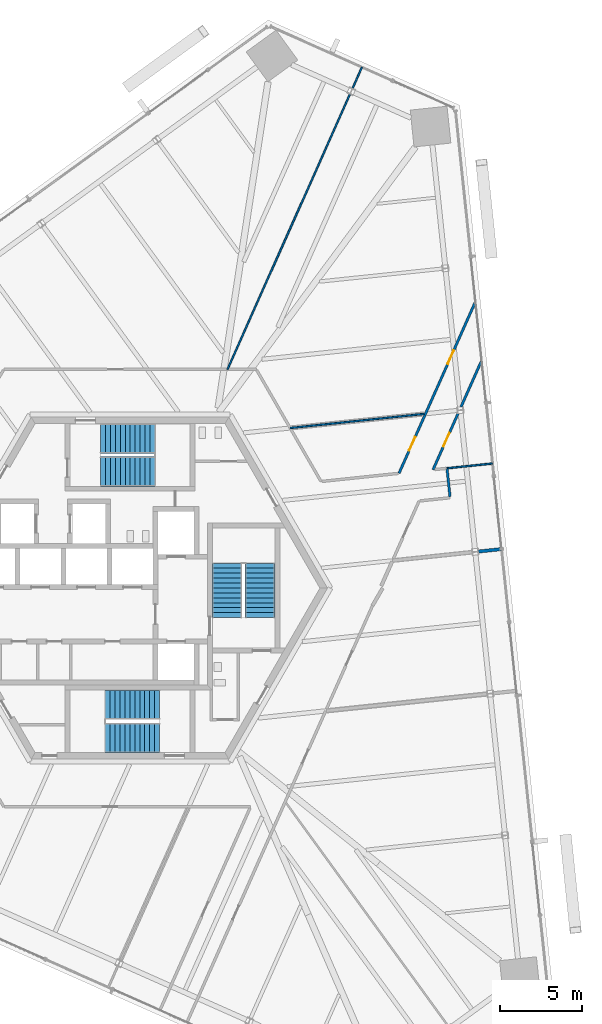
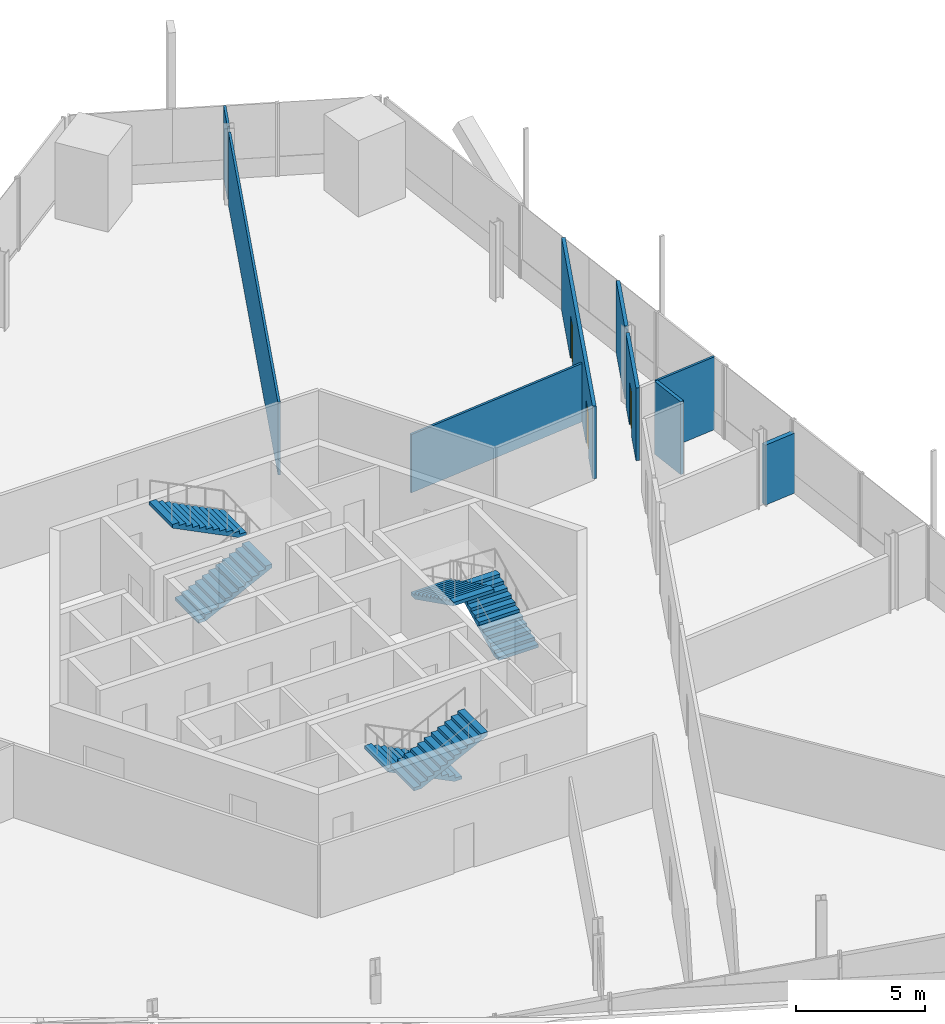
# One storey, part 14 of 21: 9 walls, 6 stair flights, 3 doors, 3 openings, 3 elements without a shape of their own.
"""IFC4 building model written with IfcOpenShell, lengths in metres."""

from ifc_helpers import new_model, si_unit, direction, frame, frame_2d, origin, place, context, subcontext, project, spatial, polyline, rectangle, outline, extrude, source, transform, mapped, material, layer, layer_set, type_object, element, fill, aggregate, save


model = new_model("IFC4")

# Units and contexts
model_context = context("Model", 3, precision=1e-05, world=origin(), true_north=direction((0.0, 1.0)))
body_context = subcontext(model_context, "Body", "Model", "MODEL_VIEW")
ifc_project = project(units=[si_unit("LENGTHUNIT", "METRE"), si_unit("AREAUNIT", "SQUARE_METRE"), si_unit("VOLUMEUNIT", "CUBIC_METRE"), si_unit("PLANEANGLEUNIT", "RADIAN"), si_unit("MASSUNIT", "GRAM", prefix="KILO")], contexts=[model_context])

# Site, building, storey
site_placement = place(None, origin())
site = spatial("IfcSite", under=ifc_project, at=site_placement, CompositionType="ELEMENT")
building_placement = place(site_placement, origin())
building = spatial("IfcBuilding", under=site, at=building_placement, Name="Triune Harvest Tower", CompositionType="ELEMENT")
storey_placement = place(building_placement, frame((0.0, 0.0, 87.300048828125)))
storey = spatial("IfcBuildingStorey", under=building, at=storey_placement, Name="L21", CompositionType="ELEMENT", Elevation=87.300048828125)

# Wall
ifc_material_1 = material(Name="Gypsum board on steel studs", Category="steel")
ifc_layer_1 = layer(ifc_material_1, 0.14990234375)
ifc_layer_set_1 = layer_set([ifc_layer_1], Name="Gypsum board on steel studs")
wall_type_1 = type_object("IfcWallType", Name="Fire Partition 150 mm", PredefinedType="PARTITIONING", material=ifc_layer_set_1)
wall_1_placement = place(storey_placement, frame((19.2646484375, 7.254638671875, 0.0), z_axis=(0.0, 0.0, 1.0), x_axis=(0.104647626118, -0.99450936363, 0.0)))
element("IfcWall", 1, at=wall_1_placement, inside=storey, type_object=wall_type_1, Name="Partition L21 002", PredefinedType="PARTITIONING", context=body_context, shape_type="SweptSolid", body=[
    extrude(rectangle(XDim=1.7099609375, YDim=0.14990234375, at=frame_2d((0.85498046875, 0.0))), origin(), (0.0, 0.0, 1.0), 3.43994140625),
])

# Wall, opening, door
wall_2_placement = place(storey_placement, frame((18.41162109375, 7.1953125, 0.0), z_axis=(0.0, 0.0, 1.0), x_axis=(0.406767795553, 0.91353158703, 0.0)))
wall_2 = element("IfcWall", 2, at=wall_2_placement, inside=storey, type_object=wall_type_1, Name="Partition L21 046", PredefinedType="PARTITIONING", context=body_context, shape_type="SweptSolid", body=[
    extrude(rectangle(XDim=3.742919921875, YDim=0.14990234375, at=frame_2d((1.87158203125, 0.0))), origin(), (0.0, 0.0, 1.0), 3.43994140625),
])
opening_1_placement = place(wall_2_placement, frame((1.5498046875, 0.0, 0.0)))
opening_1 = element("IfcOpeningElement", 3, at=opening_1_placement, cuts=wall_2, Name="Opening L21-006", PredefinedType="OPENING", context=body_context, shape_type="SweptSolid", body=[
    extrude(rectangle(XDim=0.89990234375, YDim=2.10009765625, at=frame_2d((0.449951171875, 1.050048828125))), frame((0.0, 0.0849609375, 0.0), z_axis=(0.0, -1.0, 0.0), x_axis=(1.0, 0.0, 0.0)), (0.0, 0.0, 1.0), 0.169921875),
])
ifc_material_2 = material(Name="Timber and steel door set", Category="steel")
door_type_1 = type_object("IfcDoorType", Name="Single leaf door FD30 left hand 900 x 2100", OperationType="SINGLE_SWING_LEFT", PredefinedType="DOOR", material=ifc_material_2)
door_1_placement = place(opening_1_placement, origin())
door_1 = element("IfcDoor", 4, at=door_1_placement, inside=storey, type_object=door_type_1, Name="Door L21-006 Dry Store Room 21.06", OperationType="SINGLE_SWING_LEFT", OverallHeight=2.10009765625, OverallWidth=0.89990234375, PredefinedType="DOOR", context=body_context, shape_type="SweptSolid", body=[
    extrude(rectangle(XDim=0.89990234375, YDim=2.10009765625, at=frame_2d((0.449951171875, 1.050048828125))), frame((0.0, 0.02490234375, 0.0), z_axis=(0.0, -1.0, 0.0), x_axis=(1.0, 0.0, 0.0)), (0.0, 0.0, 1.0), 0.050048828125),
])
fill(opening_1, door_1)

# Wall
wall_3_placement = place(storey_placement, frame((20.112060546875, 11.01416015625, 0.0), z_axis=(0.0, 0.0, 1.0), x_axis=(0.406717595281, 0.91355393803, 0.0)))
element("IfcWall", 5, at=wall_3_placement, inside=storey, type_object=wall_type_1, Name="Partition L21 047", PredefinedType="PARTITIONING", context=body_context, shape_type="SweptSolid", body=[
    extrude(rectangle(XDim=3.089599609375, YDim=0.14990234375, at=frame_2d((1.544921875, 0.0))), origin(), (0.0, 0.0, 1.0), 3.43994140625),
])

# Wall, openings, doors
wall_4_placement = place(storey_placement, frame((16.344482421875, 6.977783203125, 0.0), z_axis=(0.0, 0.0, 1.0), x_axis=(0.406735071701, 0.913546157262, 0.0)))
wall_4 = element("IfcWall", 6, at=wall_4_placement, inside=storey, type_object=wall_type_1, Name="Partition L21 049", PredefinedType="PARTITIONING", context=body_context, shape_type="SweptSolid", body=[
    extrude(rectangle(XDim=11.4267578125, YDim=0.14990234375, at=frame_2d((5.71337890625, 0.0))), origin(), (0.0, 0.0, 1.0), 3.43994140625),
])
opening_2_placement = place(wall_4_placement, frame((1.51171875, 0.0, 0.0)))
opening_2 = element("IfcOpeningElement", 7, at=opening_2_placement, cuts=wall_4, Name="Opening L21-003", PredefinedType="OPENING", context=body_context, shape_type="SweptSolid", body=[
    extrude(rectangle(XDim=0.89990234375, YDim=2.10009765625, at=frame_2d((0.449951171875, 1.050048828125))), frame((0.0, 0.0849609375, 0.0), z_axis=(0.0, -1.0, 0.0), x_axis=(1.0, 0.0, 0.0)), (0.0, 0.0, 1.0), 0.169921875),
])
opening_3_placement = place(wall_4_placement, frame((7.27685546875, 0.0, 0.0)))
opening_3 = element("IfcOpeningElement", 8, at=opening_3_placement, cuts=wall_4, Name="Opening L21-005", PredefinedType="OPENING", context=body_context, shape_type="SweptSolid", body=[
    extrude(rectangle(XDim=0.89990234375, YDim=2.10009765625, at=frame_2d((0.449951171875, 1.050048828125))), frame((0.0, 0.0849609375, 0.0), z_axis=(0.0, -1.0, 0.0), x_axis=(1.0, 0.0, 0.0)), (0.0, 0.0, 1.0), 0.169921875),
])
door_2_placement = place(opening_2_placement, origin())
door_2 = element("IfcDoor", 9, at=door_2_placement, inside=storey, type_object=door_type_1, Name="Door L21-003 Meeting Room 21.03", OperationType="SINGLE_SWING_LEFT", OverallHeight=2.10009765625, OverallWidth=0.89990234375, PredefinedType="DOOR", context=body_context, shape_type="SweptSolid", body=[
    extrude(rectangle(XDim=0.89990234375, YDim=2.10009765625, at=frame_2d((0.449951171875, 1.050048828125))), frame((0.0, 0.02490234375, 0.0), z_axis=(0.0, -1.0, 0.0), x_axis=(1.0, 0.0, 0.0)), (0.0, 0.0, 1.0), 0.050048828125),
])
fill(opening_2, door_2)
ifc_material_3 = material(Name="Timber and steel door set", Category="steel")
door_type_2 = type_object("IfcDoorType", Name="Single leaf door FD30 right hand 900 x 2100", OperationType="SINGLE_SWING_RIGHT", PredefinedType="DOOR", material=ifc_material_3)
door_3_placement = place(opening_3_placement, origin())
door_3 = element("IfcDoor", 10, at=door_3_placement, inside=storey, type_object=door_type_2, Name="Door L21-005 Office 21.05", OperationType="SINGLE_SWING_RIGHT", OverallHeight=2.10009765625, OverallWidth=0.89990234375, PredefinedType="DOOR", context=body_context, shape_type="SweptSolid", body=[
    extrude(rectangle(XDim=0.89990234375, YDim=2.10009765625, at=frame_2d((0.449951171875, 1.050048828125))), frame((0.0, 0.02490234375, 0.0), z_axis=(0.0, -1.0, 0.0), x_axis=(1.0, 0.0, 0.0)), (0.0, 0.0, 1.0), 0.050048828125),
])
fill(opening_3, door_3)

# Walls
ifc_material_4 = material(Name="Gypsum board on steel studs", Category="steel")
ifc_layer_2 = layer(ifc_material_4, 0.199951171875)
ifc_layer_set_2 = layer_set([ifc_layer_2], Name="Gypsum board on steel studs")
wall_type_2 = type_object("IfcWallType", Name="Fire Wall 200 mm", PredefinedType="PARTITIONING", material=ifc_layer_set_2)
wall_5_placement = place(storey_placement, frame((21.162841796875, 2.224365234375, 0.0), z_axis=(0.0, 0.0, 1.0), x_axis=(0.994507339329, 0.104666862093, 0.0)))
element("IfcWall", 11, at=wall_5_placement, inside=storey, type_object=wall_type_2, Name="Partition L21 026", PredefinedType="PARTITIONING", context=body_context, shape_type="SweptSolid", body=[
    extrude(rectangle(XDim=1.418212890625, YDim=0.199951171875, at=frame_2d((0.708984375, 0.0))), origin(), (0.0, 0.0, 1.0), 2.82763671875),
])
ifc_material_5 = material(Name="Gypsum board on steel studs", Category="steel")
ifc_layer_3 = layer(ifc_material_5, 0.10009765625)
ifc_layer_set_3 = layer_set([ifc_layer_3], Name="Gypsum board on steel studs")
wall_type_3 = type_object("IfcWallType", Name="Partition 100 mm", PredefinedType="PARTITIONING", material=ifc_layer_set_3)
wall_6_placement = place(storey_placement, frame((9.7294921875, 9.732421875, 0.0), z_axis=(0.0, 0.0, 1.0), x_axis=(0.994521954483, 0.104527900824, 0.0)))
element("IfcWall", 12, at=wall_6_placement, inside=storey, type_object=wall_type_3, Name="Partition L21 036", PredefinedType="PARTITIONING", context=body_context, shape_type="SweptSolid", body=[
    extrude(rectangle(XDim=8.181884765625, YDim=0.10009765625, at=frame_2d((4.0908203125, 0.0))), origin(), (0.0, 0.0, 1.0), 2.7568359375),
])
shared_shape_1 = source(origin(), body_context, "Body", "SweptSolid", [
    extrude(rectangle(XDim=1.418212890625, YDim=0.10009765625, at=frame_2d((0.708984375, 0.0))), origin(), (0.0, 0.0, 1.0), 3.43994140625),
])
wall_7_placement = place(storey_placement, frame((13.519287109375, 30.36474609375, 0.0), z_axis=(0.0, 0.0, 1.0), x_axis=(0.40676126154, 0.913534496399, 0.0)))
element("IfcWall", 13, at=wall_7_placement, inside=storey, type_object=wall_type_3, Name="Partition L21 053", PredefinedType="PARTITIONING", context=body_context, shape_type="MappedRepresentation", body=[
    mapped(shared_shape_1, transform((0.0, 0.0, 0.0), scale=1.0)),
])
shared_shape_2 = source(origin(), body_context, "Body", "SweptSolid", [
    extrude(rectangle(XDim=2.7802734375, YDim=0.10009765625, at=frame_2d((1.39013671875, 0.0))), origin(), (0.0, 0.0, 1.0), 3.43994140625),
])
wall_8_placement = place(storey_placement, frame((19.261474609375, 7.2841796875, 0.0), z_axis=(0.0, 0.0, 1.0), x_axis=(0.994525642509, 0.104492805455, 0.0)))
element("IfcWall", 14, at=wall_8_placement, inside=storey, type_object=wall_type_3, Name="Partition L21 034", PredefinedType="PARTITIONING", context=body_context, shape_type="MappedRepresentation", body=[
    mapped(shared_shape_2, transform((0.0, 0.0, 0.0), scale=1.0)),
])
shared_shape_3 = source(origin(), body_context, "Body", "SweptSolid", [
    extrude(rectangle(XDim=18.314208984375, YDim=0.10009765625, at=frame_2d((9.1572265625, 0.0))), origin(), (0.0, 0.0, 1.0), 3.43994140625),
])
wall_9_placement = place(storey_placement, frame((5.918212890625, 13.292236328125, 0.0), z_axis=(0.0, 0.0, 1.0), x_axis=(0.406730837849, 0.913548042274, 0.0)))
element("IfcWall", 15, at=wall_9_placement, inside=storey, type_object=wall_type_3, Name="Partition L21 052", PredefinedType="PARTITIONING", context=body_context, shape_type="MappedRepresentation", body=[
    mapped(shared_shape_3, transform((0.0, 0.0, 0.0), scale=1.0)),
])

# Stair, stair flights
ifc_material_6 = material(Name="Concrete 40 MPa", Category="concrete")
stair_type = type_object("IfcStairType", Name="Exit stair 1800 half turn", PredefinedType="HALF_TURN_STAIR", material=ifc_material_6)
stair_1_placement = place(storey_placement, origin())
stair_1 = element("IfcStair", 16, at=stair_1_placement, inside=storey, type_object=stair_type, Name="Exit stair north", PredefinedType="HALF_TURN_STAIR")
ifc_material_7 = material(Name="Concrete 40 MPa", Category="concrete")
stair_flight_type = type_object("IfcStairFlightType", Name="Stair flight 1800", PredefinedType="STRAIGHT", material=ifc_material_7)
shared_shape_4 = source(origin(), body_context, "Body", "SweptSolid", [
    extrude(outline(polyline([(0.0, 0.0), (0.0, 0.14990234375), (0.300048828125, 0.14990234375), (0.300048828125, 0.300048828125), (0.60009765625, 0.300048828125), (0.60009765625, 0.449951171875), (0.89990234375, 0.449951171875), (0.89990234375, 0.60009765625), (1.199951171875, 0.60009765625), (1.199951171875, 0.75), (1.5, 0.75), (1.5, 0.89990234375), (1.800048828125, 0.89990234375), (1.800048828125, 1.050048828125), (2.10009765625, 1.050048828125), (2.10009765625, 1.199951171875), (2.39990234375, 1.199951171875), (2.39990234375, 1.35009765625), (2.699951171875, 1.35009765625), (2.699951171875, 1.5), (3.0, 1.5), (3.0, 1.64990234375), (3.300048828125, 1.64990234375), (3.300048828125, 1.800048828125), (3.300048828125, 1.482421875), (0.335205078125, 0.0), (0.0, 0.0)])), frame((0.0, 0.89990234375, 0.0), z_axis=(0.0, -1.0, 0.0), x_axis=(1.0, 0.0, 0.0)), (0.0, 0.0, 1.0), 1.800048828125),
])
stair_flight_1_placement = place(storey_placement, frame((-1.7900390625, 7.090087890625, 0.0), z_axis=(0.0, 0.0, 1.0), x_axis=(1.0, 0.0, 0.0)))
stair_flight_1 = element("IfcStairFlight", 17, at=stair_flight_1_placement, type_object=stair_flight_type, Name="ST-1 flight 1", NumberOfRisers=12, NumberOfTreads=11, PredefinedType="STRAIGHT", RiserHeight=0.15, TreadLength=0.3, context=body_context, shape_type="MappedRepresentation", body=[
    mapped(shared_shape_4, transform((0.0, 0.0, 0.0), scale=1.0)),
])
stair_flight_2_placement = place(storey_placement, frame((1.510009765625, 9.090087890625, 1.800048828125), z_axis=(0.0, 0.0, 1.0), x_axis=(-1.0, 0.0, 0.0)))
stair_flight_2 = element("IfcStairFlight", 18, at=stair_flight_2_placement, type_object=stair_flight_type, Name="ST-1 flight 2", NumberOfRisers=12, NumberOfTreads=11, PredefinedType="STRAIGHT", RiserHeight=0.15, TreadLength=0.3, context=body_context, shape_type="MappedRepresentation", body=[
    mapped(shared_shape_4, transform((0.0, 0.0, 0.0), scale=1.0)),
])
aggregate(stair_1, [stair_flight_1, stair_flight_2])

stair_2_placement = place(storey_placement, origin())
stair_2 = element("IfcStair", 19, at=stair_2_placement, inside=storey, type_object=stair_type, Name="Exit stair south", PredefinedType="HALF_TURN_STAIR")
stair_flight_3_placement = place(storey_placement, frame((1.7900390625, -7.090087890625, 0.0), z_axis=(0.0, 0.0, 1.0), x_axis=(-1.0, 0.0, 0.0)))
stair_flight_3 = element("IfcStairFlight", 20, at=stair_flight_3_placement, type_object=stair_flight_type, Name="ST-2 flight 1", NumberOfRisers=12, NumberOfTreads=11, PredefinedType="STRAIGHT", RiserHeight=0.15, TreadLength=0.3, context=body_context, shape_type="MappedRepresentation", body=[
    mapped(shared_shape_4, transform((0.0, 0.0, 0.0), scale=1.0)),
])
stair_flight_4_placement = place(storey_placement, frame((-1.510009765625, -9.090087890625, 1.800048828125), z_axis=(0.0, 0.0, 1.0), x_axis=(1.0, 0.0, 0.0)))
stair_flight_4 = element("IfcStairFlight", 21, at=stair_flight_4_placement, type_object=stair_flight_type, Name="ST-2 flight 2", NumberOfRisers=12, NumberOfTreads=11, PredefinedType="STRAIGHT", RiserHeight=0.15, TreadLength=0.3, context=body_context, shape_type="MappedRepresentation", body=[
    mapped(shared_shape_4, transform((0.0, 0.0, 0.0), scale=1.0)),
])
aggregate(stair_2, [stair_flight_3, stair_flight_4])

stair_3_placement = place(storey_placement, origin())
stair_3 = element("IfcStair", 22, at=stair_3_placement, inside=storey, type_object=stair_type, Name="Exit stair east", PredefinedType="HALF_TURN_STAIR")
stair_flight_5_placement = place(storey_placement, frame((7.89990234375, -1.7900390625, 0.0), z_axis=(0.0, 0.0, 1.0), x_axis=(0.0, 1.0, 0.0)))
stair_flight_5 = element("IfcStairFlight", 23, at=stair_flight_5_placement, type_object=stair_flight_type, Name="ST-3 flight 1", NumberOfRisers=12, NumberOfTreads=11, PredefinedType="STRAIGHT", RiserHeight=0.15, TreadLength=0.3, context=body_context, shape_type="MappedRepresentation", body=[
    mapped(shared_shape_4, transform((0.0, 0.0, 0.0), scale=1.0)),
])
stair_flight_6_placement = place(storey_placement, frame((5.89990234375, 1.510009765625, 1.800048828125), z_axis=(0.0, 0.0, 1.0), x_axis=(0.0, -1.0, 0.0)))
stair_flight_6 = element("IfcStairFlight", 24, at=stair_flight_6_placement, type_object=stair_flight_type, Name="ST-3 flight 2", NumberOfRisers=12, NumberOfTreads=11, PredefinedType="STRAIGHT", RiserHeight=0.15, TreadLength=0.3, context=body_context, shape_type="MappedRepresentation", body=[
    mapped(shared_shape_4, transform((0.0, 0.0, 0.0), scale=1.0)),
])
aggregate(stair_3, [stair_flight_5, stair_flight_6])

save(model, "model.ifc")
